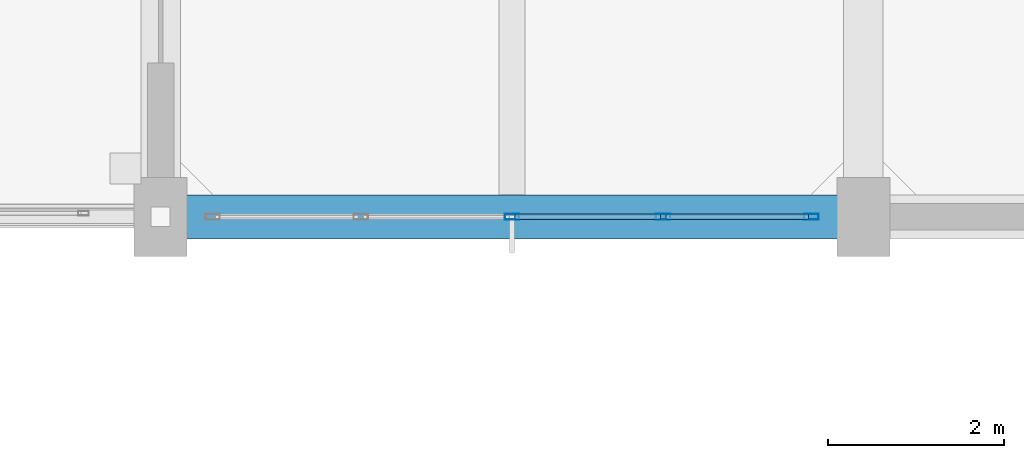
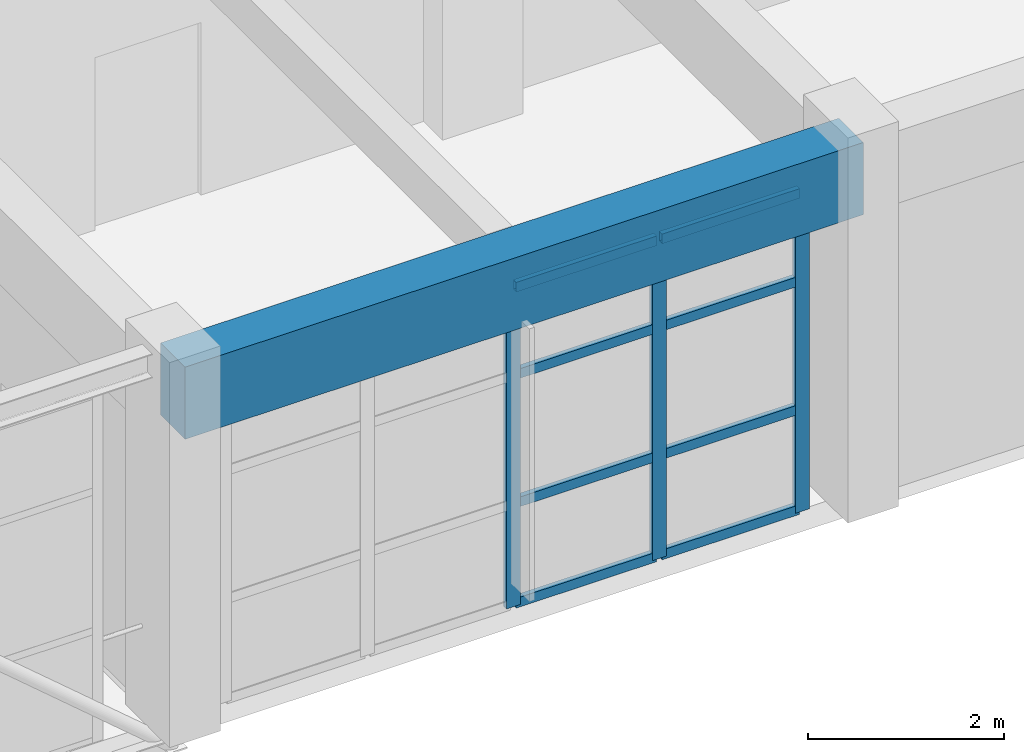
# One storey, part 100 of 248: 11 members, 1 beam, 1 element without a shape of its own.
"""IFC4 building model written with IfcOpenShell, lengths in metres."""

from ifc_helpers import new_model, si_unit, direction, frame, origin, origin_2d, place, context, subcontext, project, spatial, rectangle, hollow_rectangle, extrude, material, layer, layer_set, material_profile, profile_set, type_object, element, aggregate, save


model = new_model("IFC4")

# Units and contexts
model_context = context("Model", 3, precision=1e-05, world=origin(), true_north=direction((0.0, 1.0)))
body_context = subcontext(model_context, "Body", "Model", "MODEL_VIEW")
ifc_project = project(units=[si_unit("LENGTHUNIT", "METRE"), si_unit("AREAUNIT", "SQUARE_METRE"), si_unit("VOLUMEUNIT", "CUBIC_METRE"), si_unit("PLANEANGLEUNIT", "RADIAN"), si_unit("MASSUNIT", "GRAM", prefix="KILO")], contexts=[model_context])

# Site, building, storey
site_placement = place(None, origin())
site = spatial("IfcSite", under=ifc_project, at=site_placement, CompositionType="ELEMENT")
building_placement = place(site_placement, origin())
building = spatial("IfcBuilding", under=site, at=building_placement, Name="Canggui Botanical Conservatory", CompositionType="ELEMENT")
storey_placement = place(building_placement, frame((0.0, 0.0, 5.39990234375)))
storey = spatial("IfcBuildingStorey", under=building, at=storey_placement, Name="L02", CompositionType="ELEMENT", Elevation=5.39990234375)

# Beam
ifc_material_1 = material(Name="Concrete C35", Category="concrete")
ifc_material_profile_1 = material_profile(ifc_material_1, rectangle(XDim=0.5, YDim=0.89990234375, at=origin_2d()), Name="RB 500x900")
ifc_profile_set_1 = profile_set([ifc_material_profile_1], Name="Concrete C35")
beam_type = type_object("IfcBeamType", Name="BM-KL03", PredefinedType="BEAM", material=ifc_profile_set_1)
beam_placement = place(storey_placement, frame((130.0, 26.0, 4.070068359375), z_axis=(1.0, 0.0, 0.0), x_axis=(0.0, 1.0, 0.0)))
element("IfcBeam", 1, at=beam_placement, inside=storey, type_object=beam_type, Name="Frame Girder L02 Y26-1", PredefinedType="BEAM", context=body_context, shape_type="SweptSolid", body=[
    extrude(rectangle(XDim=0.5, YDim=0.89990234375, at=origin_2d()), origin(), (0.0, 0.0, 1.0), 8.0),
])

# Curtain wall, members
ifc_material_2 = material(Name="Thermally Broken Aluminium", Category="aluminium")
ifc_layer = layer(ifc_material_2, 0.1650390625, Name="Thermally Broken Aluminium", Category="aluminium")
ifc_layer_set = layer_set([ifc_layer], Name="Thermally Broken Aluminium")
curtain_wall_type = type_object("IfcCurtainWallType", Name="CW-UNIT-B", PredefinedType="USERDEFINED", material=ifc_layer_set)
curtain_wall_placement = place(storey_placement, origin())
curtain_wall = element("IfcCurtainWall", 2, at=curtain_wall_placement, inside=storey, type_object=curtain_wall_type, Name="Facade Curtain Wall CW-TWR-L02-06", ObjectType="UNITISED CURTAIN WALL", PredefinedType="USERDEFINED")
ifc_material_profile_2 = material_profile(ifc_material_2, hollow_rectangle(XDim=0.06494140625, YDim=0.1650390625, WallThickness=0.00390625, at=origin_2d()), Name="CWM 65x165x4")
ifc_profile_set_2 = profile_set([ifc_material_profile_2], Name="Thermally Broken Aluminium")
member_type_1 = type_object("IfcMemberType", Name="CWM-02", PredefinedType="MULLION", material=ifc_profile_set_2)
member_1_placement = place(storey_placement, frame((137.407470703125, 26.0, 0.0), z_axis=(0.0, 0.0, 1.0), x_axis=(0.0, -1.0, 0.0)))
member_1 = element("IfcMember", 3, at=member_1_placement, type_object=member_type_1, Name="CW-02 mullion 1", PredefinedType="MULLION", context=body_context, shape_type="SweptSolid", body=[
    extrude(hollow_rectangle(XDim=0.06494140625, YDim=0.1650390625, WallThickness=0.00390625, at=origin_2d()), origin(), (0.0, 0.0, 1.0), 4.0),
])
member_2_placement = place(storey_placement, frame((135.719970703125, 26.0, 0.0), z_axis=(0.0, 0.0, 1.0), x_axis=(0.0, -1.0, 0.0)))
member_2 = element("IfcMember", 4, at=member_2_placement, type_object=member_type_1, Name="CW-02 mullion 2", PredefinedType="MULLION", context=body_context, shape_type="SweptSolid", body=[
    extrude(hollow_rectangle(XDim=0.06494140625, YDim=0.1650390625, WallThickness=0.00390625, at=origin_2d()), origin(), (0.0, 0.0, 1.0), 4.0),
])
member_3_placement = place(storey_placement, frame((134.0, 26.0, 0.0), z_axis=(0.0, 0.0, 1.0), x_axis=(0.0, -1.0, 0.0)))
member_3 = element("IfcMember", 5, at=member_3_placement, type_object=member_type_1, Name="CW-02 mullion 3", PredefinedType="MULLION", context=body_context, shape_type="SweptSolid", body=[
    extrude(hollow_rectangle(XDim=0.06494140625, YDim=0.1650390625, WallThickness=0.00390625, at=origin_2d()), origin(), (0.0, 0.0, 1.0), 4.0),
])
ifc_material_profile_3 = material_profile(ifc_material_2, hollow_rectangle(XDim=0.06005859375, YDim=0.1201171875, WallThickness=0.00341796875, at=origin_2d()), Name="CWT 60x120x3.5")
ifc_profile_set_3 = profile_set([ifc_material_profile_3], Name="Thermally Broken Aluminium")
member_type_2 = type_object("IfcMemberType", Name="CWT-02", PredefinedType="USERDEFINED", material=ifc_profile_set_3)
member_4_placement = place(storey_placement, frame((137.375, 26.0, 0.030029296875), z_axis=(-1.0, 0.0, 0.0), x_axis=(0.0, -1.0, 0.0)))
member_4 = element("IfcMember", 6, at=member_4_placement, type_object=member_type_2, Name="CW-02 transom 1.1", ObjectType="TRANSOM", PredefinedType="USERDEFINED", context=body_context, shape_type="SweptSolid", body=[
    extrude(hollow_rectangle(XDim=0.06005859375, YDim=0.1201171875, WallThickness=0.00341796875, at=origin_2d()), origin(), (0.0, 0.0, 1.0), 1.62255859375),
])
member_5_placement = place(storey_placement, frame((137.375, 26.0, 1.280029296875), z_axis=(-1.0, 0.0, 0.0), x_axis=(0.0, -1.0, 0.0)))
member_5 = element("IfcMember", 7, at=member_5_placement, type_object=member_type_2, Name="CW-02 transom 1.2", ObjectType="TRANSOM", PredefinedType="USERDEFINED", context=body_context, shape_type="SweptSolid", body=[
    extrude(hollow_rectangle(XDim=0.06005859375, YDim=0.1201171875, WallThickness=0.00341796875, at=origin_2d()), origin(), (0.0, 0.0, 1.0), 1.62255859375),
])
member_6_placement = place(storey_placement, frame((137.375, 26.0, 2.880126953125), z_axis=(-1.0, 0.0, 0.0), x_axis=(0.0, -1.0, 0.0)))
member_6 = element("IfcMember", 8, at=member_6_placement, type_object=member_type_2, Name="CW-02 transom 1.3", ObjectType="TRANSOM", PredefinedType="USERDEFINED", context=body_context, shape_type="SweptSolid", body=[
    extrude(hollow_rectangle(XDim=0.06005859375, YDim=0.1201171875, WallThickness=0.00341796875, at=origin_2d()), origin(), (0.0, 0.0, 1.0), 1.62255859375),
])
member_7_placement = place(storey_placement, frame((137.375, 26.0, 3.97021484375), z_axis=(-1.0, 0.0, 0.0), x_axis=(0.0, -1.0, 0.0)))
member_7 = element("IfcMember", 9, at=member_7_placement, type_object=member_type_2, Name="CW-02 transom 1.4", ObjectType="TRANSOM", PredefinedType="USERDEFINED", context=body_context, shape_type="SweptSolid", body=[
    extrude(hollow_rectangle(XDim=0.06005859375, YDim=0.1201171875, WallThickness=0.00341796875, at=origin_2d()), origin(), (0.0, 0.0, 1.0), 1.62255859375),
])
member_8_placement = place(storey_placement, frame((135.6875, 26.0, 0.030029296875), z_axis=(-1.0, 0.0, 0.0), x_axis=(0.0, -1.0, 0.0)))
member_8 = element("IfcMember", 10, at=member_8_placement, type_object=member_type_2, Name="CW-02 transom 2.1", ObjectType="TRANSOM", PredefinedType="USERDEFINED", context=body_context, shape_type="SweptSolid", body=[
    extrude(hollow_rectangle(XDim=0.06005859375, YDim=0.1201171875, WallThickness=0.00341796875, at=origin_2d()), origin(), (0.0, 0.0, 1.0), 1.655029296875),
])
member_9_placement = place(storey_placement, frame((135.6875, 26.0, 1.280029296875), z_axis=(-1.0, 0.0, 0.0), x_axis=(0.0, -1.0, 0.0)))
member_9 = element("IfcMember", 11, at=member_9_placement, type_object=member_type_2, Name="CW-02 transom 2.2", ObjectType="TRANSOM", PredefinedType="USERDEFINED", context=body_context, shape_type="SweptSolid", body=[
    extrude(hollow_rectangle(XDim=0.06005859375, YDim=0.1201171875, WallThickness=0.00341796875, at=origin_2d()), origin(), (0.0, 0.0, 1.0), 1.655029296875),
])
member_10_placement = place(storey_placement, frame((135.6875, 26.0, 2.880126953125), z_axis=(-1.0, 0.0, 0.0), x_axis=(0.0, -1.0, 0.0)))
member_10 = element("IfcMember", 12, at=member_10_placement, type_object=member_type_2, Name="CW-02 transom 2.3", ObjectType="TRANSOM", PredefinedType="USERDEFINED", context=body_context, shape_type="SweptSolid", body=[
    extrude(hollow_rectangle(XDim=0.06005859375, YDim=0.1201171875, WallThickness=0.00341796875, at=origin_2d()), origin(), (0.0, 0.0, 1.0), 1.655029296875),
])
member_11_placement = place(storey_placement, frame((135.6875, 26.0, 3.97021484375), z_axis=(-1.0, 0.0, 0.0), x_axis=(0.0, -1.0, 0.0)))
member_11 = element("IfcMember", 13, at=member_11_placement, type_object=member_type_2, Name="CW-02 transom 2.4", ObjectType="TRANSOM", PredefinedType="USERDEFINED", context=body_context, shape_type="SweptSolid", body=[
    extrude(hollow_rectangle(XDim=0.06005859375, YDim=0.1201171875, WallThickness=0.00341796875, at=origin_2d()), origin(), (0.0, 0.0, 1.0), 1.655029296875),
])
aggregate(curtain_wall, [member_1, member_2, member_3, member_4, member_5, member_6, member_7, member_8, member_9, member_10, member_11])

save(model, "model.ifc")
